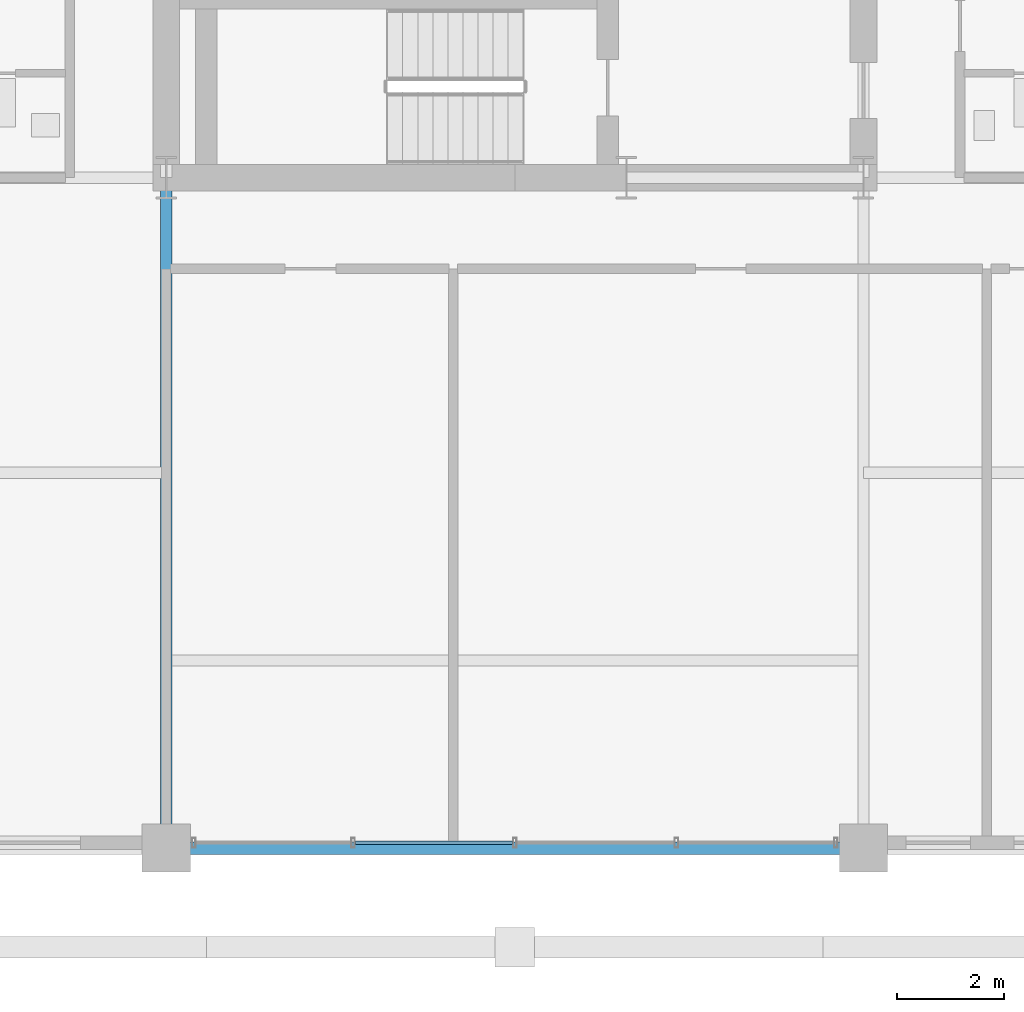
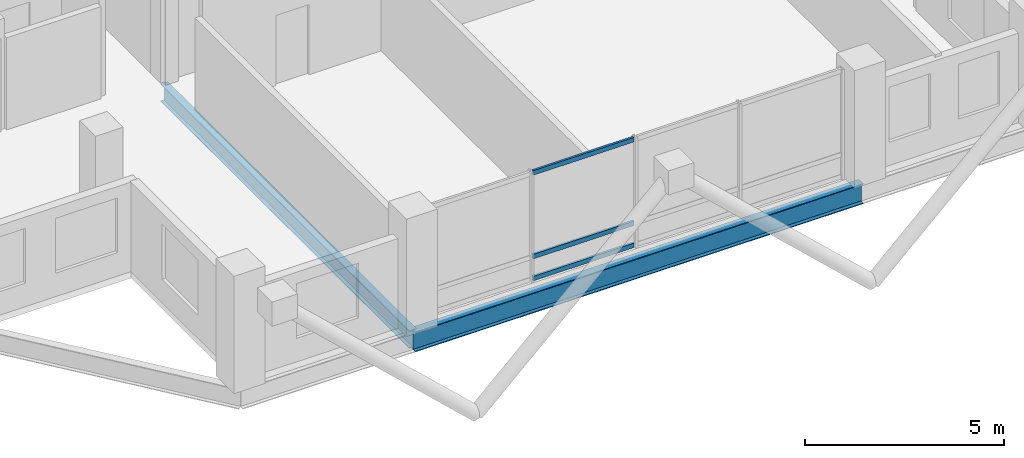
# One storey, part 4 of 23: 3 members, 2 beams, 1 element without a shape of its own.
"""IFC4 building model written with IfcOpenShell, lengths in metres."""

from ifc_helpers import new_model, si_unit, direction, frame, origin, origin_2d, place, context, subcontext, project, spatial, hollow_rectangle, i_section, extrude, material, layer, layer_set, material_profile, profile_set, type_object, element, aggregate, save


model = new_model("IFC4")

# Units and contexts
model_context = context("Model", 3, precision=1e-05, world=origin(), true_north=direction((0.0, 1.0)))
body_context = subcontext(model_context, "Body", "Model", "MODEL_VIEW")
ifc_project = project(units=[si_unit("LENGTHUNIT", "METRE"), si_unit("AREAUNIT", "SQUARE_METRE"), si_unit("VOLUMEUNIT", "CUBIC_METRE"), si_unit("PLANEANGLEUNIT", "RADIAN"), si_unit("MASSUNIT", "GRAM", prefix="KILO")], contexts=[model_context])

# Site, building, storey
site_placement = place(None, origin())
site = spatial("IfcSite", under=ifc_project, at=site_placement, CompositionType="ELEMENT")
building_placement = place(site_placement, origin())
building = spatial("IfcBuilding", under=site, at=building_placement, Name="Barlavira Tower and Art Museum", CompositionType="ELEMENT")
storey_placement = place(building_placement, frame((0.0, 0.0, 247.5)))
storey = spatial("IfcBuildingStorey", under=building, at=storey_placement, Name="L64", CompositionType="ELEMENT", Elevation=247.5)

# Curtain wall, members
ifc_material_1 = material(Name="Low-iron coastal laminated glass", Category="glass")
ifc_layer = layer(ifc_material_1, 0.2099609375, Name="Low-iron coastal laminated glass")
ifc_layer_set = layer_set([ifc_layer], Name="Low-iron coastal laminated glass")
curtain_wall_type = type_object("IfcCurtainWallType", Name="Pale-Metal Unitised Curtain Wall Zone 4", PredefinedType="NOTDEFINED", material=ifc_layer_set)
curtain_wall_placement = place(storey_placement, origin())
curtain_wall = element("IfcCurtainWall", 1, at=curtain_wall_placement, inside=storey, type_object=curtain_wall_type, Name="L64 Curtain Wall CW4-L64-S-B2", PredefinedType="NOTDEFINED")
ifc_material_2 = material(Name="Pale anodised aluminium", Category="aluminium")
ifc_material_profile_1 = material_profile(ifc_material_2, hollow_rectangle(XDim=0.06494140625, YDim=0.139892578125, WallThickness=0.00390625, at=origin_2d()), Name="ALU-TRAN 65x140x4")
ifc_profile_set_1 = profile_set([ifc_material_profile_1], Name="Pale anodised aluminium")
member_type = type_object("IfcMemberType", Name="Curtain Wall Pale-Metal Transom 65x140", PredefinedType="USERDEFINED", material=ifc_profile_set_1)
member_1_placement = place(storey_placement, frame((-2.969970703125, -19.89990234375, 0.070068359375), z_axis=(1.0, 0.0, 0.0), x_axis=(0.0, 1.0, 0.0)))
member_1 = element("IfcMember", 2, at=member_1_placement, type_object=member_type, Name="CW4-L64-S-B2 Transom 1.1", ObjectType="TRANSOM", PredefinedType="USERDEFINED", context=body_context, shape_type="SweptSolid", body=[
    extrude(hollow_rectangle(XDim=0.06494140625, YDim=0.139892578125, WallThickness=0.00390625, at=origin_2d()), origin(), (0.0, 0.0, 1.0), 2.925048828125),
])
member_2_placement = place(storey_placement, frame((-2.969970703125, -19.89990234375, 0.743896484375), z_axis=(1.0, 0.0, 0.0), x_axis=(0.0, 1.0, 0.0)))
member_2 = element("IfcMember", 3, at=member_2_placement, type_object=member_type, Name="CW4-L64-S-B2 Transom 1.2", ObjectType="TRANSOM", PredefinedType="USERDEFINED", context=body_context, shape_type="SweptSolid", body=[
    extrude(hollow_rectangle(XDim=0.06494140625, YDim=0.139892578125, WallThickness=0.00390625, at=origin_2d()), origin(), (0.0, 0.0, 1.0), 2.925048828125),
])
member_3_placement = place(storey_placement, frame((-2.969970703125, -19.89990234375, 3.31005859375), z_axis=(1.0, 0.0, 0.0), x_axis=(0.0, 1.0, 0.0)))
member_3 = element("IfcMember", 4, at=member_3_placement, type_object=member_type, Name="CW4-L64-S-B2 Transom 1.3", ObjectType="TRANSOM", PredefinedType="USERDEFINED", context=body_context, shape_type="SweptSolid", body=[
    extrude(hollow_rectangle(XDim=0.06494140625, YDim=0.139892578125, WallThickness=0.00390625, at=origin_2d()), origin(), (0.0, 0.0, 1.0), 2.925048828125),
])
aggregate(curtain_wall, [member_1, member_2, member_3])

# Beams
ifc_material_3 = material(Name="Steel S355", Category="steel")
ifc_material_profile_2 = material_profile(ifc_material_3, i_section(OverallWidth=0.22998046875, OverallDepth=0.616943359375, WebThickness=0.01318359375, FlangeThickness=0.022216796875, at=origin_2d()), Name="W610x140.0")
ifc_profile_set_2 = profile_set([ifc_material_profile_2], Name="Steel S355")
beam_type_1 = type_object("IfcBeamType", Name="Upper Shaft Spandrel Edge Beam W610x140 Steel S355", PredefinedType="SPANDREL", material=ifc_profile_set_2)
beam_1_placement = place(storey_placement, frame((-6.5, -20.0, -0.528564453125), z_axis=(1.0, 0.0, 0.0), x_axis=(0.0, 1.0, 0.0)))
element("IfcBeam", 5, at=beam_1_placement, inside=storey, type_object=beam_type_1, Name="L64 Spandrel 2", PredefinedType="SPANDREL", context=body_context, shape_type="SweptSolid", body=[
    extrude(i_section(OverallWidth=0.22998046875, OverallDepth=0.616943359375, WebThickness=0.01318359375, FlangeThickness=0.022216796875, at=origin_2d()), origin(), (0.0, 0.0, 1.0), 13.0),
])
ifc_material_profile_3 = material_profile(ifc_material_3, i_section(OverallWidth=0.2109375, OverallDepth=0.5390625, WebThickness=0.01171875, FlangeThickness=0.018798828125, at=origin_2d()), Name="W530x109.0")
ifc_profile_set_3 = profile_set([ifc_material_profile_3], Name="Steel S355")
beam_type_2 = type_object("IfcBeamType", Name="Zone 3-4 Primary Floor Girder W530x109 Steel S355", PredefinedType="BEAM", material=ifc_profile_set_3)
beam_2_placement = place(storey_placement, frame((-6.5, -20.0, -0.489501953125), z_axis=(0.0, 1.0, 0.0), x_axis=(-1.0, 0.0, 0.0)))
element("IfcBeam", 6, at=beam_2_placement, inside=storey, type_object=beam_type_2, Name="L64 Girder R-S1", PredefinedType="BEAM", context=body_context, shape_type="SweptSolid", body=[
    extrude(i_section(OverallWidth=0.2109375, OverallDepth=0.5390625, WebThickness=0.01171875, FlangeThickness=0.018798828125, at=origin_2d()), origin(), (0.0, 0.0, 1.0), 12.5),
])

save(model, "model.ifc")
